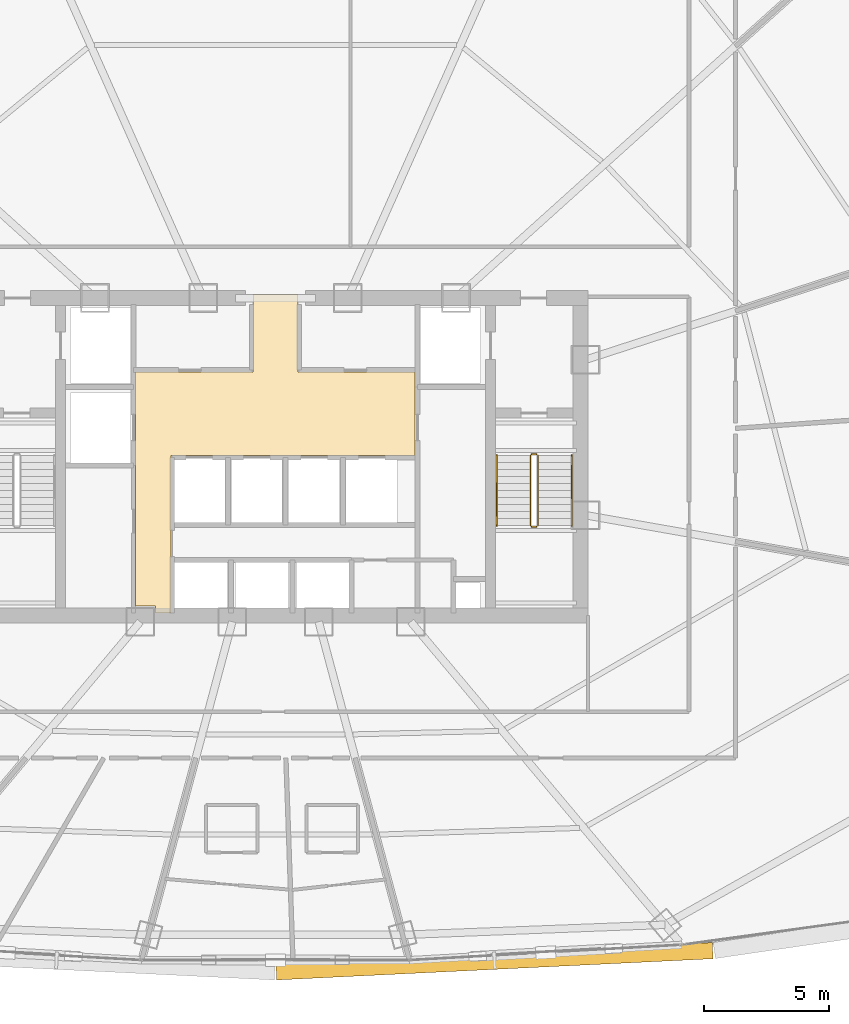
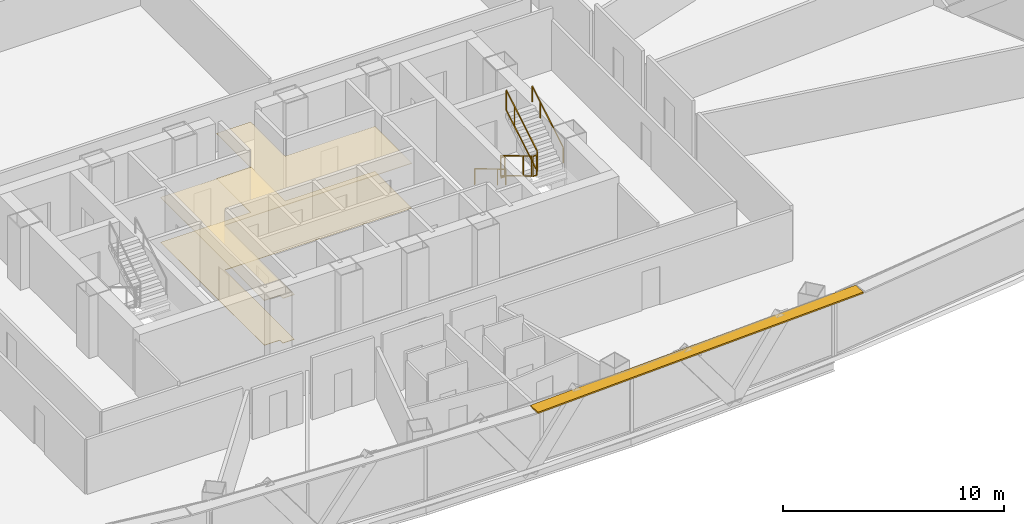
# One storey, part 37 of 39: 6 railings, 2 coverings, 1 shading device.
"""IFC4 building model written with IfcOpenShell, lengths in metres."""

from ifc_helpers import new_model, si_unit, direction, frame, origin, origin_2d, place, context, subcontext, project, spatial, polyline, rectangle, outline, extrude, source, transform, mapped, material, layer, layer_set, type_object, element, save


model = new_model("IFC4")

# Units and contexts
model_context = context("Model", 3, precision=1e-05, world=origin(), true_north=direction((0.0, 1.0)))
body_context = subcontext(model_context, "Body", "Model", "MODEL_VIEW")
ifc_project = project(units=[si_unit("LENGTHUNIT", "METRE"), si_unit("AREAUNIT", "SQUARE_METRE"), si_unit("VOLUMEUNIT", "CUBIC_METRE"), si_unit("PLANEANGLEUNIT", "RADIAN"), si_unit("MASSUNIT", "GRAM", prefix="KILO"), si_unit("THERMODYNAMICTEMPERATUREUNIT", "KELVIN"), si_unit("POWERUNIT", "WATT")], contexts=[model_context])

# Site, building, storey
site_placement = place(None, origin())
site = spatial("IfcSite", under=ifc_project, at=site_placement, CompositionType="ELEMENT")
building_placement = place(site_placement, origin())
building = spatial("IfcBuilding", under=site, at=building_placement, Name="Yunzhuo Pagoda Commons", CompositionType="ELEMENT")
storey_placement = place(building_placement, frame((0.0, 0.0, 166.6298828125)))
storey = spatial("IfcBuildingStorey", under=building, at=storey_placement, Name="L42", CompositionType="ELEMENT", Elevation=166.6298828125)

# Coverings
ifc_material_1 = material(Name="Perforated gypsum acoustic ceiling tile")
ifc_layer_1 = layer(ifc_material_1, 0.030029296875)
ifc_layer_set_1 = layer_set([ifc_layer_1], Name="Perforated gypsum acoustic ceiling tile")
covering_type_1 = type_object("IfcCoveringType", Name="COV-CL2 Ceiling 30", PredefinedType="CEILING", material=ifc_layer_set_1)
covering_1_placement = place(storey_placement, frame((0.0, 0.0, 2.47021484375)))
element("IfcCovering", 1, at=covering_1_placement, inside=storey, type_object=covering_type_1, Name="L42 lift lobby acoustic ceiling", PredefinedType="CEILING", context=body_context, shape_type="SweptSolid", body=[
    extrude(outline(polyline([(43.207763671875, 27.85009765625), (43.201904296875, 27.864013671875), (43.187744140625, 27.8701171875), (42.39990234375, 27.8701171875), (42.39990234375, 33.89990234375), (42.39990234375, 37.25), (47.10009765625, 37.25), (47.10009765625, 40.35009765625), (48.89990234375, 40.35009765625), (48.89990234375, 37.25), (53.580078125, 37.25), (53.580078125, 33.89990234375), (43.820068359375, 33.89990234375), (43.820068359375, 27.60009765625), (43.207763671875, 27.60009765625), (43.207763671875, 27.85009765625)])), origin(), (0.0, 0.0, 1.0), 0.02978515625),
])
ifc_material_2 = material(Name="Porcelain ceramic floor tile")
ifc_layer_2 = layer(ifc_material_2, 0.02001953125)
ifc_layer_set_2 = layer_set([ifc_layer_2], Name="Porcelain ceramic floor tile")
covering_type_2 = type_object("IfcCoveringType", Name="COV-FL1 Flooring 20", PredefinedType="FLOORING", material=ifc_layer_set_2)
covering_2_placement = place(storey_placement, origin())
element("IfcCovering", 2, at=covering_2_placement, inside=storey, type_object=covering_type_2, Name="L42 lift lobby flooring", PredefinedType="FLOORING", context=body_context, shape_type="SweptSolid", body=[
    extrude(outline(polyline([(43.207763671875, 27.85009765625), (43.201904296875, 27.864013671875), (43.187744140625, 27.8701171875), (42.39990234375, 27.8701171875), (42.39990234375, 33.89990234375), (42.39990234375, 37.25), (47.10009765625, 37.25), (47.10009765625, 40.35009765625), (48.89990234375, 40.35009765625), (48.89990234375, 37.25), (53.580078125, 37.25), (53.580078125, 33.89990234375), (43.820068359375, 33.89990234375), (43.820068359375, 27.60009765625), (43.207763671875, 27.60009765625), (43.207763671875, 27.85009765625)])), origin(), (0.0, 0.0, 1.0), 0.02001953125),
])

# Railings
ifc_material_3 = material(Name="Anodized aluminium 6063-T6", Category="aluminium")
railing_type_1 = type_object("IfcRailingType", Name="GR-ST2 Stair Well Guardrail 1160", PredefinedType="GUARDRAIL", material=ifc_material_3)
railing_1_placement = place(storey_placement, frame((58.199951171875, 33.89990234375, 0.16748046875)))
element("IfcRailing", 3, at=railing_1_placement, inside=storey, type_object=railing_type_1, Name="L42 ST2 stair guard 1", PredefinedType="GUARDRAIL", context=body_context, shape_type="SweptSolid", body=[
    extrude(rectangle(XDim=0.048095703125, YDim=0.048095703125, at=origin_2d()), frame((0.0, 0.0, 1.1259765625), z_axis=(0.0, -0.858475523978, 0.512854535645), x_axis=(1.0, 0.0, 0.0)), (0.0, 0.0, 1.0), 3.261474609375),
    extrude(rectangle(XDim=0.048095703125, YDim=0.048095703125, at=origin_2d()), frame((0.0, 0.0, 0.02392578125), z_axis=(0.0, -0.858475523978, 0.512854535645), x_axis=(1.0, 0.0, 0.0)), (0.0, 0.0, 1.0), 3.261474609375),
    extrude(rectangle(XDim=0.0419921875, YDim=0.0419921875, at=origin_2d()), origin(), (0.0, 0.0, 1.0), 1.101806640625),
    extrude(rectangle(XDim=0.0419921875, YDim=0.0419921875, at=origin_2d()), frame((0.0, -2.060302734375, 1.23095703125)), (0.0, 0.0, 1.0), 1.101806640625),
    extrude(rectangle(XDim=0.0419921875, YDim=0.0419921875, at=origin_2d()), frame((0.0, -2.7998046875, 1.672607421875)), (0.0, 0.0, 1.0), 1.101806640625),
])
railing_2_placement = place(storey_placement, frame((58.25, 31.050048828125, 1.840087890625)))
element("IfcRailing", 4, at=railing_2_placement, inside=storey, type_object=railing_type_1, Name="L42 ST2 stair guard 2", PredefinedType="GUARDRAIL", context=body_context, shape_type="SweptSolid", body=[
    extrude(rectangle(XDim=0.048095703125, YDim=0.048095703125, at=origin_2d()), frame((0.0, 0.0, 1.1259765625), z_axis=(1.0, 0.0, 0.0), x_axis=(0.0, 1.0, 0.0)), (0.0, 0.0, 1.0), 0.199951171875),
    extrude(rectangle(XDim=0.048095703125, YDim=0.048095703125, at=origin_2d()), frame((0.0, 0.0, 0.02392578125), z_axis=(1.0, 0.0, 0.0), x_axis=(0.0, 1.0, 0.0)), (0.0, 0.0, 1.0), 0.199951171875),
    extrude(rectangle(XDim=0.0419921875, YDim=0.0419921875, at=origin_2d()), origin(), (0.0, 0.0, 1.0), 1.101806640625),
    extrude(rectangle(XDim=0.0419921875, YDim=0.0419921875, at=origin_2d()), frame((0.199951171875, 0.0, 0.0)), (0.0, 0.0, 1.0), 1.101806640625),
])
railing_3_placement = place(storey_placement, frame((58.5, 31.10009765625, 2.00732421875)))
element("IfcRailing", 5, at=railing_3_placement, inside=storey, type_object=railing_type_1, Name="L42 ST2 stair guard 3", PredefinedType="GUARDRAIL", context=body_context, shape_type="SweptSolid", body=[
    extrude(rectangle(XDim=0.048095703125, YDim=0.048095703125, at=origin_2d()), frame((0.0, 0.0, 1.1259765625), z_axis=(0.0, 0.858442565357, 0.512909701589), x_axis=(-1.0, 0.0, 0.0)), (0.0, 0.0, 1.0), 3.261474609375),
    extrude(rectangle(XDim=0.048095703125, YDim=0.048095703125, at=origin_2d()), frame((0.0, 0.0, 0.02392578125), z_axis=(0.0, 0.858442565357, 0.512909701589), x_axis=(-1.0, 0.0, 0.0)), (0.0, 0.0, 1.0), 3.261474609375),
    extrude(rectangle(XDim=0.0419921875, YDim=0.0419921875, at=origin_2d()), origin(), (0.0, 0.0, 1.0), 1.101806640625),
    extrude(rectangle(XDim=0.0419921875, YDim=0.0419921875, at=origin_2d()), frame((0.0, 2.060302734375, 1.23095703125)), (0.0, 0.0, 1.0), 1.101806640625),
    extrude(rectangle(XDim=0.0419921875, YDim=0.0419921875, at=origin_2d()), frame((0.0, 2.7998046875, 1.6728515625)), (0.0, 0.0, 1.0), 1.101806640625),
])
railing_4_placement = place(storey_placement, frame((58.25, 33.949951171875, 0.0)))
element("IfcRailing", 6, at=railing_4_placement, inside=storey, type_object=railing_type_1, Name="L42 ST2 stair guard 4", PredefinedType="GUARDRAIL", context=body_context, shape_type="SweptSolid", body=[
    extrude(rectangle(XDim=0.048095703125, YDim=0.048095703125, at=origin_2d()), frame((0.0, 0.0, 1.1259765625), z_axis=(1.0, 0.0, 0.0), x_axis=(0.0, 1.0, 0.0)), (0.0, 0.0, 1.0), 0.199951171875),
    extrude(rectangle(XDim=0.048095703125, YDim=0.048095703125, at=origin_2d()), frame((0.0, 0.0, 0.02392578125), z_axis=(1.0, 0.0, 0.0), x_axis=(0.0, 1.0, 0.0)), (0.0, 0.0, 1.0), 0.199951171875),
    extrude(rectangle(XDim=0.0419921875, YDim=0.0419921875, at=origin_2d()), origin(), (0.0, 0.0, 1.0), 1.101806640625),
    extrude(rectangle(XDim=0.0419921875, YDim=0.0419921875, at=origin_2d()), frame((0.199951171875, 0.0, 0.0)), (0.0, 0.0, 1.0), 1.101806640625),
])
railing_type_2 = type_object("IfcRailingType", Name="HR-ST2 Stair Handrail 900", PredefinedType="HANDRAIL", material=ifc_material_3)
railing_5_placement = place(storey_placement, frame((56.85009765625, 33.89990234375, 0.16748046875)))
element("IfcRailing", 7, at=railing_5_placement, inside=storey, type_object=railing_type_2, Name="L42 ST2 stair handrail 1", PredefinedType="HANDRAIL", context=body_context, shape_type="SweptSolid", body=[
    extrude(rectangle(XDim=0.048095703125, YDim=0.048095703125, at=origin_2d()), frame((0.0, 0.0, 0.8759765625), z_axis=(0.0, -0.858475523978, 0.512854535645), x_axis=(1.0, 0.0, 0.0)), (0.0, 0.0, 1.0), 3.261474609375),
    extrude(rectangle(XDim=0.0419921875, YDim=0.0419921875, at=origin_2d()), origin(), (0.0, 0.0, 1.0), 0.851806640625),
    extrude(rectangle(XDim=0.0419921875, YDim=0.0419921875, at=origin_2d()), frame((0.0, -2.060302734375, 1.23095703125)), (0.0, 0.0, 1.0), 0.851806640625),
    extrude(rectangle(XDim=0.0419921875, YDim=0.0419921875, at=origin_2d()), frame((0.0, -2.7998046875, 1.672607421875)), (0.0, 0.0, 1.0), 0.851806640625),
])
railing_6_placement = place(storey_placement, frame((59.85009765625, 31.10009765625, 2.00732421875)))
element("IfcRailing", 8, at=railing_6_placement, inside=storey, type_object=railing_type_2, Name="L42 ST2 stair handrail 2", PredefinedType="HANDRAIL", context=body_context, shape_type="SweptSolid", body=[
    extrude(rectangle(XDim=0.048095703125, YDim=0.048095703125, at=origin_2d()), frame((0.0, 0.0, 0.8759765625), z_axis=(0.0, 0.858442565357, 0.512909701589), x_axis=(-1.0, 0.0, 0.0)), (0.0, 0.0, 1.0), 3.261474609375),
    extrude(rectangle(XDim=0.0419921875, YDim=0.0419921875, at=origin_2d()), origin(), (0.0, 0.0, 1.0), 0.851806640625),
    extrude(rectangle(XDim=0.0419921875, YDim=0.0419921875, at=origin_2d()), frame((0.0, 2.060302734375, 1.23095703125)), (0.0, 0.0, 1.0), 0.851806640625),
    extrude(rectangle(XDim=0.0419921875, YDim=0.0419921875, at=origin_2d()), frame((0.0, 2.7998046875, 1.6728515625)), (0.0, 0.0, 1.0), 0.851806640625),
])

# Shading device
ifc_layer_3 = layer(ifc_material_3, 0.080078125)
ifc_layer_set_3 = layer_set([ifc_layer_3], Name="Anodized aluminium 6063-T6")
shading_device_type = type_object("IfcShadingDeviceType", Name="SH-SUN1 Pagoda Horizontal Sunshade Eave 650", PredefinedType="USERDEFINED", material=ifc_layer_set_3)
shared_shape = source(origin(), body_context, "Body", "SweptSolid", [
    extrude(rectangle(XDim=17.481201171875, YDim=0.64990234375, at=origin_2d()), origin(), (0.0, 0.0, 1.0), 0.080078125),
])
shading_device_placement = place(storey_placement, frame((56.761962890625, 13.665771484375, 3.340087890625), z_axis=(0.0, 0.0, 1.0), x_axis=(0.998818043775, 0.04860571396, 0.0)))
element("IfcShadingDevice", 9, at=shading_device_placement, inside=storey, type_object=shading_device_type, Name="L42 horizontal pagoda sunshade eave F1.3", ObjectType="SUNSHADE", PredefinedType="USERDEFINED", context=body_context, shape_type="MappedRepresentation", body=[
    mapped(shared_shape, transform((0.0, 0.0, 0.0), scale=1.0)),
])

save(model, "model.ifc")
